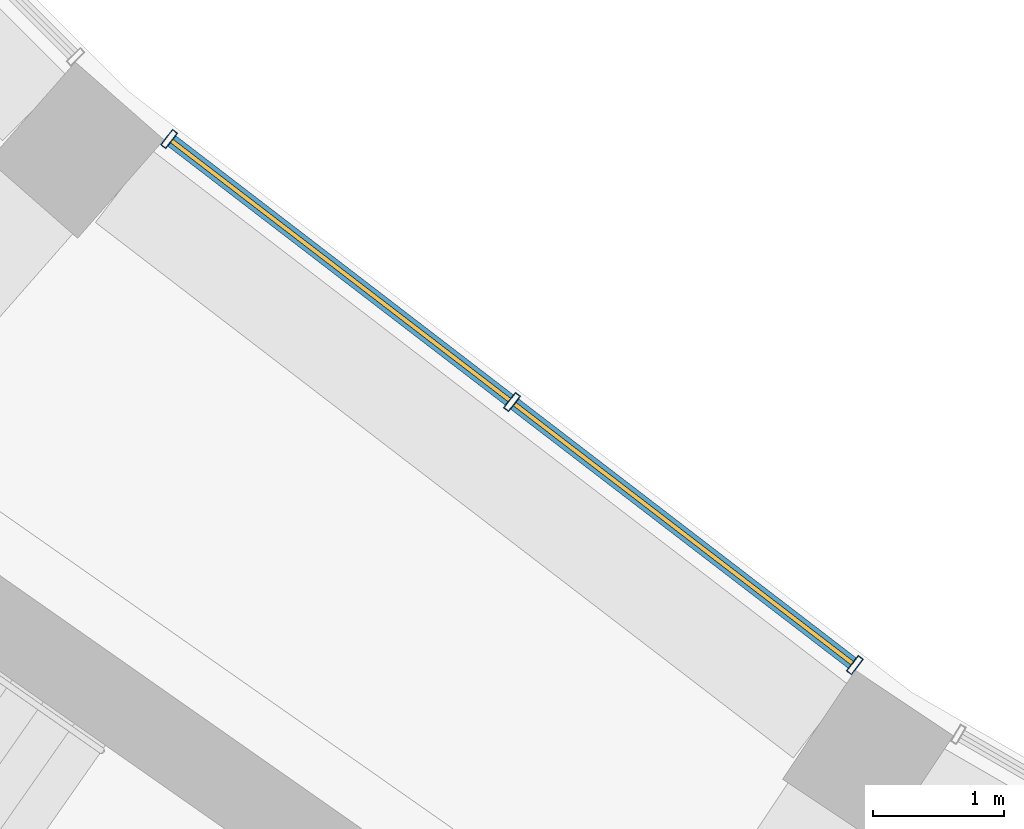
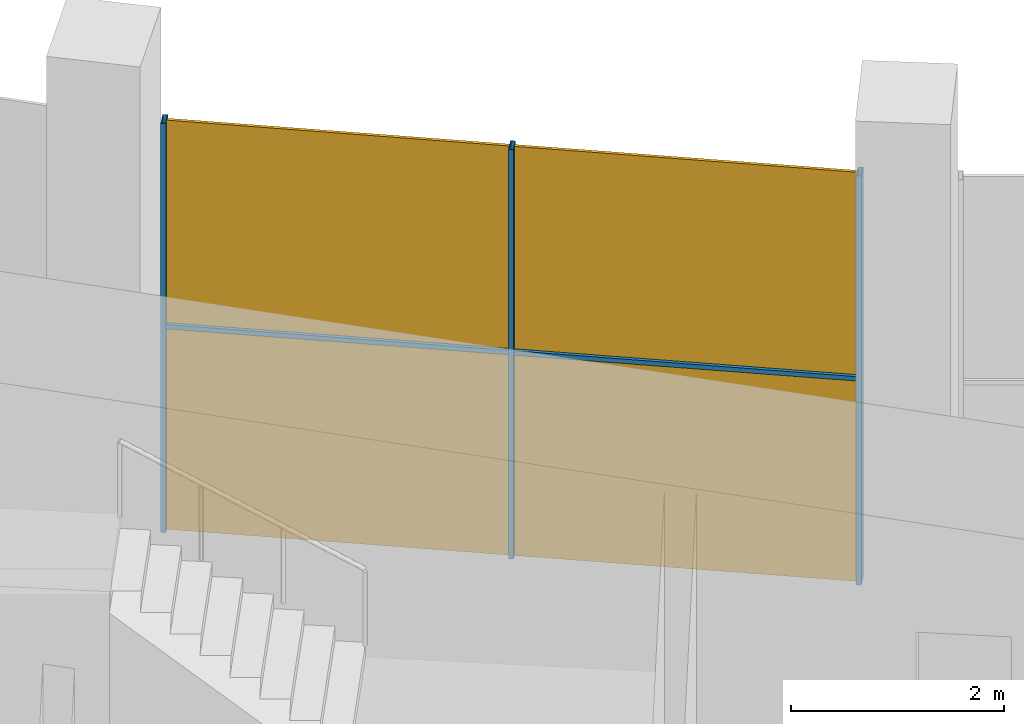
# One storey, part 31 of 41: 5 members, 1 curtain wall.
"""IFC4 building model written with IfcOpenShell, lengths in metres."""

import ifcopenshell
import ifcopenshell.guid

model = None  # the IFC model being written
_history = None  # IfcOwnerHistory: only IFC2X3 demands one
_inside = {}  # id of a spatial element -> (the spatial element, [elements in it])
_under = {}  # id of a project, library or spatial element -> (it, [spatial elements below it])
_declared = {}  # id of a project -> (the project, [libraries it declares])
_typed = {}  # id of a type object -> (the type object, [elements of that type])
_made_of = {}  # id of a material, layer set ... -> (it, [elements and type objects made of it])


def new_model(schema):
    """Start an empty IFC model of exactly this schema.

    Asked for "IFC4X3", IfcOpenShell would pick the latest addendum, in which some entities
    have other attributes; the version numbers below select the first issue.
    IFC2X3 requires an IfcOwnerHistory on every rooted entity: one is made here for all.
    """
    global model, _history
    if schema == "IFC4X3":
        model = ifcopenshell.file(schema_version=(4, 3, 0, 0))
    else:
        model = ifcopenshell.file(schema=schema)
    _inside.clear()
    _under.clear()
    _declared.clear()
    _typed.clear()
    _made_of.clear()
    _history = None
    if model.schema == "IFC2X3":
        org = make("IfcOrganization", Name="unknown")
        user = make(
            "IfcPersonAndOrganization",
            ThePerson=make("IfcPerson", FamilyName="unknown"),
            TheOrganization=org,
        )
        app = make(
            "IfcApplication",
            ApplicationDeveloper=org,
            Version="unknown",
            ApplicationFullName="unknown",
            ApplicationIdentifier="unknown",
        )
        _history = make(
            "IfcOwnerHistory",
            OwningUser=user,
            OwningApplication=app,
            ChangeAction="ADDED",
            CreationDate=0,
        )
    return model


def make(cls, **values):
    """One entity of the class cls with the attributes given. An attribute that is None is left unset."""
    return model.create_entity(
        cls, **{name: value for name, value in values.items() if value is not None}
    )


def rooted(cls, **values):
    """An entity with a GlobalId (a new one), such as an element, a storey or a relation."""
    return make(cls, GlobalId=ifcopenshell.guid.new(), OwnerHistory=_history, **values)


def si_unit(unit_type, name, prefix=None):
    """IfcSIUnit, for example si_unit("LENGTHUNIT", "METRE", prefix="MILLI")."""
    return make("IfcSIUnit", UnitType=unit_type, Prefix=prefix, Name=name)


def assignment(units):
    """IfcUnitAssignment: the units of a project."""
    return None if units is None else make("IfcUnitAssignment", Units=units)


def point(xyz):
    """IfcCartesianPoint."""
    return None if xyz is None else make("IfcCartesianPoint", Coordinates=xyz)


def direction(xyz):
    """IfcDirection."""
    return None if xyz is None else make("IfcDirection", DirectionRatios=xyz)


def frame(location, z_axis=None, x_axis=None):
    """IfcAxis2Placement3D, a coordinate frame: its origin and axes. An axis left out is left unset."""
    return make(
        "IfcAxis2Placement3D",
        Location=point(location),
        Axis=direction(z_axis),
        RefDirection=direction(x_axis),
    )


def frame_2d(location, x_axis=None):
    """IfcAxis2Placement2D, a coordinate frame in the plane: its origin and x axis."""
    return make(
        "IfcAxis2Placement2D", Location=point(location), RefDirection=direction(x_axis)
    )


def origin():
    """The frame at (0, 0, 0) with its axes left unset."""
    return frame((0.0, 0.0, 0.0))


def origin_2d():
    """The frame at (0, 0) in the plane with its x axis left unset."""
    return frame_2d((0.0, 0.0))


def place(relative_to, where):
    """IfcLocalPlacement: puts the frame where relative to a parent placement (None: the world)."""
    return make(
        "IfcLocalPlacement", PlacementRelTo=relative_to, RelativePlacement=where
    )


def context(
    kind, dimensions, precision=None, world=None, true_north=None, identifier=None
):
    """IfcGeometricRepresentationContext, for example the 3D "Model" context."""
    return make(
        "IfcGeometricRepresentationContext",
        ContextIdentifier=identifier,
        ContextType=kind,
        CoordinateSpaceDimension=dimensions,
        Precision=precision,
        WorldCoordinateSystem=world,
        TrueNorth=true_north,
    )


def subcontext(parent, identifier, kind, view, scale=None):
    """IfcGeometricRepresentationSubContext, for example "Body" below "Model"."""
    return make(
        "IfcGeometricRepresentationSubContext",
        ContextIdentifier=identifier,
        ContextType=kind,
        ParentContext=parent,
        TargetScale=scale,
        TargetView=view,
    )


def project(units=None, contexts=None):
    """IfcProject with its units and contexts."""
    return rooted(
        "IfcProject",
        Name="project",
        RepresentationContexts=contexts,
        UnitsInContext=assignment(units),
    )


def spatial(cls, under=None, at=None, **own):
    """A site, building, storey or space (cls), placed at a placement, below another one or the project."""
    s = rooted(cls, ObjectPlacement=at, **own)
    if under is not None:
        _under.setdefault(under.id(), (under, []))[1].append(s)
    return s


def profile(cls, at=None, kind="AREA", **sizes):
    """A parametric profile (cls). Its sizes go by their IFC names, for example OverallWidth=200.0."""
    return make(cls, ProfileType=kind, Position=at, **sizes)


def rectangle(**sizes):
    """IfcRectangleProfileDef."""
    return profile("IfcRectangleProfileDef", **sizes)


def hollow_rectangle(**sizes):
    """IfcRectangleHollowProfileDef."""
    return profile("IfcRectangleHollowProfileDef", **sizes)


def extrude(swept, where, along, depth):
    """IfcExtrudedAreaSolid: the profile swept, set in the frame where, extruded along a direction by depth."""
    return make(
        "IfcExtrudedAreaSolid",
        SweptArea=swept,
        Position=where,
        ExtrudedDirection=direction(along),
        Depth=depth,
    )


def shape(context_of_items, identifier, shape_type, items):
    """IfcShapeRepresentation: the items that make up one representation, for example the "Body"."""
    return make(
        "IfcShapeRepresentation",
        ContextOfItems=context_of_items,
        RepresentationIdentifier=identifier,
        RepresentationType=shape_type,
        Items=items,
    )


def material(Name=None, Category=None):
    """IfcMaterial."""
    return make("IfcMaterial", Name=Name, Category=Category)


def material_profile(
    of_material, cross_section, Name=None, Category=None, Priority=None
):
    """IfcMaterialProfile: a cross section and its material."""
    return make(
        "IfcMaterialProfile",
        Name=Name,
        Material=of_material,
        Profile=cross_section,
        Priority=Priority,
        Category=Category,
    )


def profile_set(profiles, Name=None, composite=None):
    """IfcMaterialProfileSet."""
    return make(
        "IfcMaterialProfileSet",
        Name=Name,
        MaterialProfiles=profiles,
        CompositeProfile=composite,
    )


def made_of(thing, what):
    """Note that an element or type object is made of a material, layer set ...; save() writes the relation."""
    if what is not None:
        _made_of.setdefault(what.id(), (what, []))[1].append(thing)
    return thing


def type_object(cls, material=None, **own):
    """A type object (cls), such as IfcWallType, which elements share."""
    return made_of(rooted(cls, **own), material)


def element(
    cls,
    number,
    at=None,
    inside=None,
    cuts=None,
    type_object=None,
    material=None,
    context=None,
    identifier="Body",
    shape_type=None,
    held_by="IfcProductDefinitionShape",
    body=None,
    shapes=None,
    **own,
):
    """One element of the class cls, such as IfcWall. Its Tag is "e" and its number.

    at: its placement. inside: the storey or other place that contains it. cuts: it is an
    opening in that element (IfcRelVoidsElement). A single representation is given by context,
    identifier, shape_type and body (its items); several are given by shapes. held_by: the class
    of the entity that holds the representations. save() writes the other relations.
    """
    e = rooted(cls, Tag="e%d" % number, ObjectPlacement=at, **own)
    if body is not None:
        shapes = [shape(context, identifier, shape_type, body)]
    if shapes is not None:
        e.Representation = make(held_by, Representations=shapes)
    if inside is not None:
        _inside.setdefault(inside.id(), (inside, []))[1].append(e)
    if cuts is not None:
        rooted(
            "IfcRelVoidsElement", RelatingBuildingElement=cuts, RelatedOpeningElement=e
        )
    if type_object is not None:
        _typed.setdefault(type_object.id(), (type_object, []))[1].append(e)
    return made_of(e, material)


def aggregate(whole, parts):
    """IfcRelAggregates: a whole, such as a stair, and the parts it consists of."""
    return rooted("IfcRelAggregates", RelatingObject=whole, RelatedObjects=parts)


def save(model, path):
    """Write the relations noted so far, then the file.

    IfcRelAggregates (storeys below a building ...), IfcRelContainedInSpatialStructure (elements
    in a storey), IfcRelDefinesByType, IfcRelAssociatesMaterial and IfcRelDeclares: one each for
    every whole, place, type object, material and project.
    """
    for whole, parts in _under.values():
        aggregate(whole, parts)
    for where, things in _inside.values():
        rooted(
            "IfcRelContainedInSpatialStructure",
            RelatedElements=things,
            RelatingStructure=where,
        )
    for kind, things in _typed.values():
        rooted("IfcRelDefinesByType", RelatedObjects=things, RelatingType=kind)
    for what, things in _made_of.values():
        rooted("IfcRelAssociatesMaterial", RelatedObjects=things, RelatingMaterial=what)
    for by, libraries in _declared.values():
        rooted("IfcRelDeclares", RelatingContext=by, RelatedDefinitions=libraries)
    model.write(path)


model = new_model("IFC4")

# Units and contexts
model_context = context("Model", 3, precision=1e-05, world=origin(), true_north=direction((0.0, 1.0)))
body_context = subcontext(model_context, "Body", "Model", "MODEL_VIEW")
ifc_project = project(units=[si_unit("LENGTHUNIT", "METRE"), si_unit("AREAUNIT", "SQUARE_METRE"), si_unit("VOLUMEUNIT", "CUBIC_METRE"), si_unit("PLANEANGLEUNIT", "RADIAN"), si_unit("MASSUNIT", "GRAM", prefix="KILO")], contexts=[model_context])

# Member
ifc_material = material(Name="Steel S355", Category="steel")
ifc_material_profile_1 = material_profile(ifc_material, hollow_rectangle(XDim=0.14990234375, YDim=0.050048828125, WallThickness=0.0048828125, at=origin_2d()))
ifc_profile_set_1 = profile_set([ifc_material_profile_1], Name="Steel S355")
member_type_1 = type_object("IfcMemberType", Name="Mullion RHS 150x50x5 steel S355", PredefinedType="MULLION", material=ifc_profile_set_1)
site_placement = place(None, origin())
building_placement = place(site_placement, origin())
storey_placement = place(building_placement, frame((0.0, 0.0, 284.699951171875)))
member_1_placement = place(storey_placement, frame((-37.69921875, -43.708984375, 0.0), z_axis=(0.0, 0.0, 1.0), x_axis=(0.608761429009, 0.793353340291, 0.0)))
member_1 = element("IfcMember", 1, at=member_1_placement, type_object=member_type_1, Name="e-cw5-L69-in02/M00", PredefinedType="MULLION", context=body_context, shape_type="SweptSolid", body=[
    extrude(hollow_rectangle(XDim=0.14990234375, YDim=0.050048828125, WallThickness=0.0048828125, at=origin_2d()), origin(), (0.0, 0.0, 1.0), 4.699951171875),
])

member_2_placement = place(storey_placement, frame((-35.080810546875, -45.71826171875, 0.0), z_axis=(0.0, 0.0, 1.0), x_axis=(0.608761429009, 0.793353340291, 0.0)))
member_2 = element("IfcMember", 2, at=member_2_placement, type_object=member_type_1, Name="e-cw5-L69-in02/M01", PredefinedType="MULLION", context=body_context, shape_type="SweptSolid", body=[
    extrude(hollow_rectangle(XDim=0.14990234375, YDim=0.050048828125, WallThickness=0.0048828125, at=origin_2d()), origin(), (0.0, 0.0, 1.0), 4.699951171875),
])

member_3_placement = place(storey_placement, frame((-32.46240234375, -47.7275390625, 0.0), z_axis=(0.0, 0.0, 1.0), x_axis=(0.608761429009, 0.793353340291, 0.0)))
member_3 = element("IfcMember", 3, at=member_3_placement, type_object=member_type_1, Name="e-cw5-L69-in02/M02", PredefinedType="MULLION", context=body_context, shape_type="SweptSolid", body=[
    extrude(hollow_rectangle(XDim=0.14990234375, YDim=0.050048828125, WallThickness=0.0048828125, at=origin_2d()), origin(), (0.0, 0.0, 1.0), 4.699951171875),
])

ifc_material_profile_2 = material_profile(ifc_material, hollow_rectangle(XDim=0.10009765625, YDim=0.050048828125, WallThickness=0.00390625, at=origin_2d()))
ifc_profile_set_2 = profile_set([ifc_material_profile_2], Name="Steel S355")
member_type_2 = type_object("IfcMemberType", Name="Transom RHS 100x50x4 steel S355", PredefinedType="USERDEFINED", material=ifc_profile_set_2)
member_4_placement = place(storey_placement, frame((-37.679443359375, -43.72412109375, 2.35009765625), z_axis=(0.793327040969, -0.60879570142, 0.0), x_axis=(0.60879570142, 0.793327040969, 0.0)))
member_4 = element("IfcMember", 4, at=member_4_placement, type_object=member_type_2, Name="e-cw5-L69-in02/T00", ObjectType="TRANSOM", PredefinedType="USERDEFINED", context=body_context, shape_type="SweptSolid", body=[
    extrude(hollow_rectangle(XDim=0.10009765625, YDim=0.050048828125, WallThickness=0.00390625, at=origin_2d()), origin(), (0.0, 0.0, 1.0), 3.250732421875),
])

member_5_placement = place(storey_placement, frame((-35.06103515625, -45.7333984375, 2.35009765625), z_axis=(0.793363314665, -0.608748429931, 0.0), x_axis=(0.608748429931, 0.793363314665, 0.0)))
member_5 = element("IfcMember", 5, at=member_5_placement, type_object=member_type_2, Name="e-cw5-L69-in02/T01", ObjectType="TRANSOM", PredefinedType="USERDEFINED", context=body_context, shape_type="SweptSolid", body=[
    extrude(hollow_rectangle(XDim=0.10009765625, YDim=0.050048828125, WallThickness=0.00390625, at=origin_2d()), origin(), (0.0, 0.0, 1.0), 3.25048828125),
])

# Site, building, storey
site = spatial("IfcSite", under=ifc_project, at=site_placement, CompositionType="ELEMENT")
building = spatial("IfcBuilding", under=site, at=building_placement, Name="Qamariyya Broadcast Tower", CompositionType="ELEMENT")
storey = spatial("IfcBuildingStorey", under=building, at=storey_placement, Name="L69", CompositionType="ELEMENT", Elevation=284.699951171875)

# Curtain wall
curtain_wall_type = type_object("IfcCurtainWallType", Name="Observation gallery all-glass wall, steel mullions", PredefinedType="NOTDEFINED", material=ifc_material)
curtain_wall_placement = place(storey_placement, origin())
curtain_wall = element("IfcCurtainWall", 6, at=curtain_wall_placement, inside=storey, type_object=curtain_wall_type, Name="e-cw5-L69-in02", PredefinedType="NOTDEFINED", context=body_context, shape_type="SweptSolid", body=[
    extrude(rectangle(XDim=3.25048828125, YDim=0.031982421875, at=origin_2d()), frame((-36.39013671875, -44.713623046875, 0.0), x_axis=(0.793357563003, -0.608755925824, 0.0)), (0.0, 0.0, 1.0), 2.324951171875),
    extrude(rectangle(XDim=3.25048828125, YDim=0.031982421875, at=origin_2d()), frame((-36.39013671875, -44.713623046875, 2.375), x_axis=(0.793357563003, -0.608755925824, 0.0)), (0.0, 0.0, 1.0), 2.324951171875),
    extrude(rectangle(XDim=3.25048828125, YDim=0.031982421875, at=origin_2d()), frame((-33.771728515625, -46.722900390625, 0.0), x_axis=(0.793357563003, -0.608755925824, 0.0)), (0.0, 0.0, 1.0), 2.324951171875),
    extrude(rectangle(XDim=3.25048828125, YDim=0.031982421875, at=origin_2d()), frame((-33.771728515625, -46.722900390625, 2.375), x_axis=(0.793357563003, -0.608755925824, 0.0)), (0.0, 0.0, 1.0), 2.324951171875),
])

aggregate(curtain_wall, [member_1, member_2, member_3, member_4, member_5])

save(model, "model.ifc")
